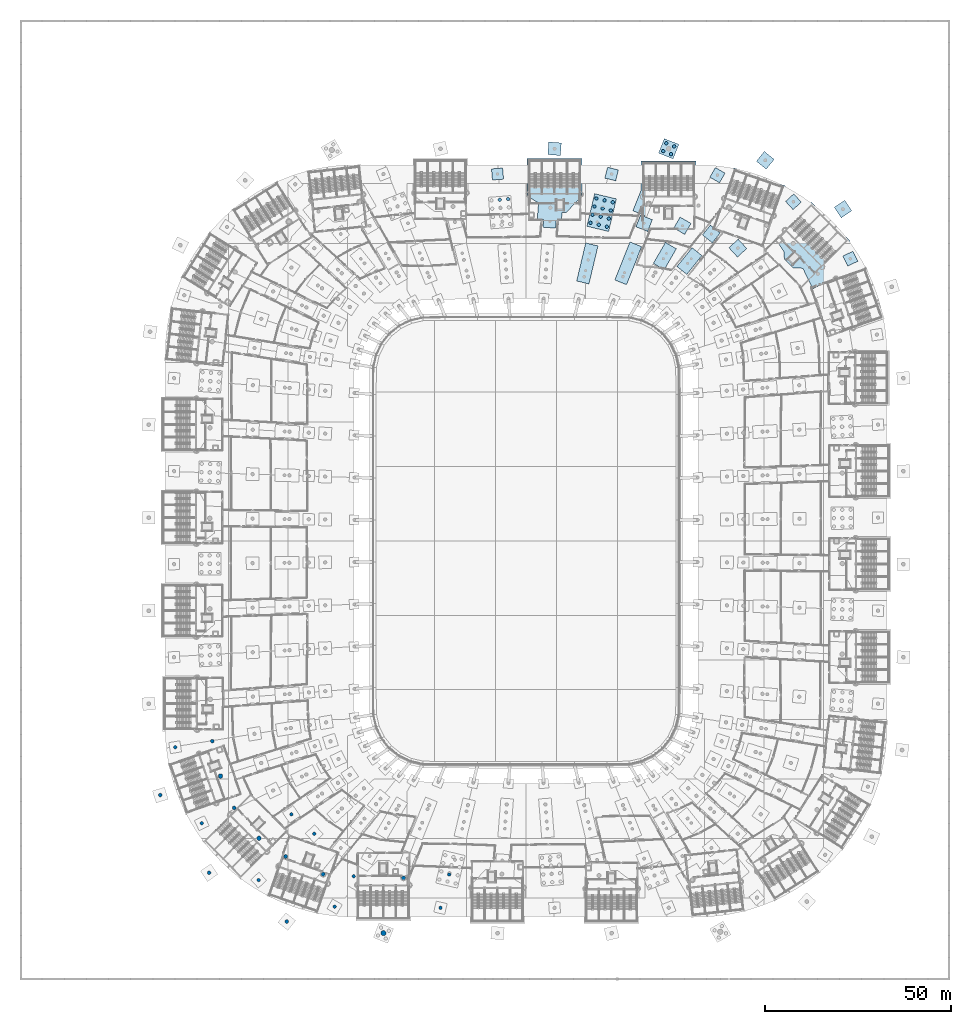
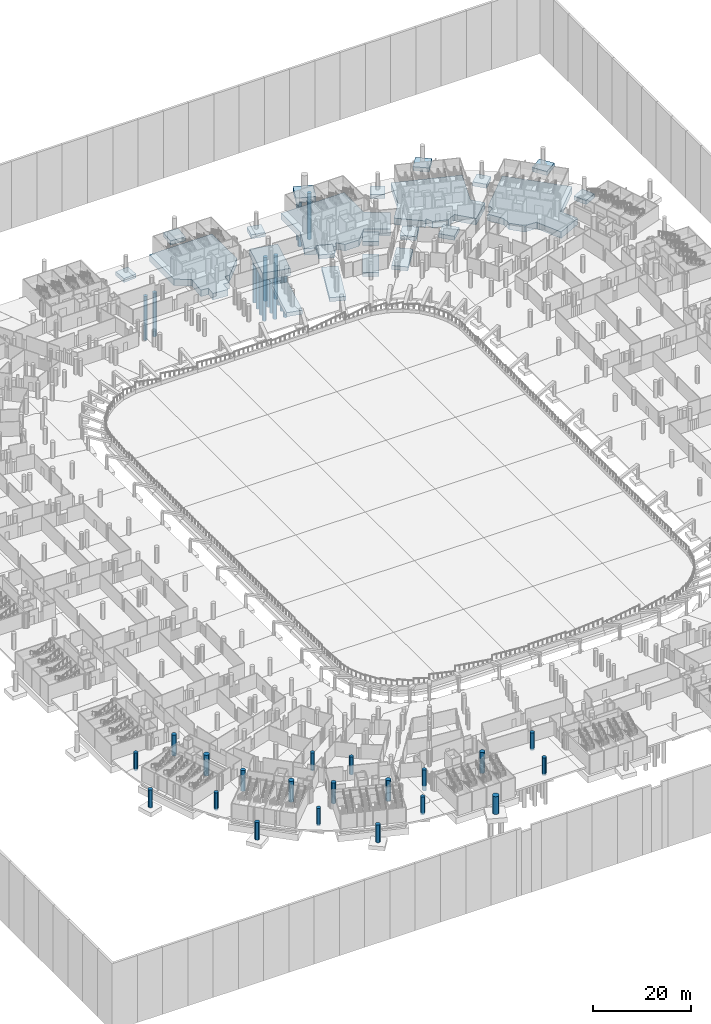
# One storey, part 8 of 142: 22 footings, 20 columns, 18 piles.
"""IFC4 building model written with IfcOpenShell, lengths in metres."""

from ifc_helpers import new_model, si_unit, direction, frame, origin, origin_2d, place, context, subcontext, project, spatial, polyline, circle, outline, extrude, material, material_profile, profile_set, type_object, element, save


model = new_model("IFC4")

# Units and contexts
model_context = context("Model", 3, precision=1e-05, world=origin(), true_north=direction((0.0, 1.0)))
body_context = subcontext(model_context, "Body", "Model", "MODEL_VIEW")
ifc_project = project(units=[si_unit("LENGTHUNIT", "METRE"), si_unit("AREAUNIT", "SQUARE_METRE"), si_unit("VOLUMEUNIT", "CUBIC_METRE"), si_unit("PLANEANGLEUNIT", "RADIAN"), si_unit("MASSUNIT", "GRAM", prefix="KILO")], contexts=[model_context])

# Site, building, storey
site_placement = place(None, origin())
site = spatial("IfcSite", under=ifc_project, at=site_placement, CompositionType="ELEMENT")
building_placement = place(site_placement, origin())
building = spatial("IfcBuilding", under=site, at=building_placement, Name="Meseta Stadium", CompositionType="ELEMENT")
storey_placement = place(building_placement, frame((0.0, 0.0, -4.0)))
storey = spatial("IfcBuildingStorey", under=building, at=storey_placement, Name="B1", CompositionType="ELEMENT", Elevation=-4.0)

# Piles
ifc_material_1 = material(Name="Concrete C30/37", Category="concrete")
ifc_material_profile_1 = material_profile(ifc_material_1, circle(Radius=0.449951171875, at=origin_2d()), Name="D900")
ifc_profile_set_1 = profile_set([ifc_material_profile_1], Name="Concrete C30/37")
pile_type_1 = type_object("IfcPileType", Name="Bored pile D900 A", PredefinedType="BORED", material=ifc_profile_set_1)
for number, where, z_axis, x_axis, name in (
    (1, (21.72021484375, 84.43896484375, -2.10009765625), (0.0, 0.0, -1.0), (1.0, 0.0, 0.0), "Bored pile BP9A 17-EP-01"),
    (2, (19.531494140625, 84.9599609375, -2.10009765625), (0.0, 0.0, -1.0), (1.0, 0.0, 0.0), "Bored pile BP9A 17-EP-02"),
    (3, (17.342529296875, 85.481201171875, -2.10009765625), (0.0, 0.0, -1.0), (1.0, 0.0, 0.0), "Bored pile BP9A 17-EP-03"),
    (4, (22.241455078125, 86.627685546875, -2.10009765625), (0.0, 0.0, -1.0), (1.0, 0.0, 0.0), "Bored pile BP9A 17-EP-04"),
    (5, (20.052490234375, 87.14892578125, -2.10009765625), (0.0, 0.0, -1.0), (1.0, 0.0, 0.0), "Bored pile BP9A 17-EP-05"),
    (6, (17.86376953125, 87.669921875, -2.10009765625), (0.0, 0.0, -1.0), (1.0, 0.0, 0.0), "Bored pile BP9A 17-EP-06"),
    (7, (22.762451171875, 88.816650390625, -2.10009765625), (0.0, 0.0, -1.0), (1.0, 0.0, 0.0), "Bored pile BP9A 17-EP-07"),
    (8, (20.57373046875, 89.337646484375, -2.10009765625), (0.0, 0.0, -1.0), (1.0, 0.0, 0.0), "Bored pile BP9A 17-EP-08"),
    (9, (18.385009765625, 89.85888671875, -2.10009765625), (0.0, 0.0, -1.0), (1.0, 0.0, 0.0), "Bored pile BP9A 17-EP-09"),
    (10, (23.28369140625, 91.00537109375, -2.10009765625), (0.0, 0.0, -1.0), (1.0, 0.0, 0.0), "Bored pile BP9A 17-EP-10"),
    (11, (21.0947265625, 91.526611328125, -2.10009765625), (0.0, 0.0, -1.0), (1.0, 0.0, 0.0), "Bored pile BP9A 17-EP-11"),
    (12, (18.906005859375, 92.047607421875, -2.10009765625), (0.0, 0.0, -1.0), (1.0, 0.0, 0.0), "Bored pile BP9A 17-EP-12"),
    (13, (-4.801025390625, 91.8798828125, -2.10009765625), (0.0, 0.0, -1.0), (1.0, 0.0, 0.0), "Bored pile BP9A 19-EP-10"),
    (14, (-7.044189453125, 91.701904296875, -2.10009765625), (0.0, 0.0, -1.0), (1.0, 0.0, 0.0), "Bored pile BP9A 19-EP-11"),
):
    element("IfcPile", number, at=place(storey_placement, frame(where, z_axis=z_axis, x_axis=x_axis)), inside=storey, type_object=pile_type_1, Name=name, PredefinedType="BORED", context=body_context, shape_type="SweptSolid", body=[
        extrude(circle(Radius=0.449951171875, at=origin_2d()), origin(), (0.0, 0.0, 1.0), 10.89990234375),
    ])
ifc_material_2 = material(Name="Concrete C30/37", Category="concrete")
ifc_material_profile_2 = material_profile(ifc_material_2, circle(Radius=0.449951171875, at=origin_2d()), Name="D900")
ifc_profile_set_2 = profile_set([ifc_material_profile_2], Name="Concrete C30/37")
pile_type_2 = type_object("IfcPileType", Name="Bored pile D900 B", PredefinedType="BORED", material=ifc_profile_set_2)
for number, where, z_axis, x_axis, name in (
    (15, (38.964111328125, 103.939453125, -1.5), (0.0, 0.0, -1.0), (1.0, 0.0, 0.0), "Bored pile BP9B 16-R-01"),
    (16, (36.872802734375, 104.769287109375, -1.5), (0.0, 0.0, -1.0), (1.0, 0.0, 0.0), "Bored pile BP9B 16-R-02"),
    (17, (39.7939453125, 106.03076171875, -1.5), (0.0, 0.0, -1.0), (1.0, 0.0, 0.0), "Bored pile BP9B 16-R-03"),
    (18, (37.70263671875, 106.860595703125, -1.5), (0.0, 0.0, -1.0), (1.0, 0.0, 0.0), "Bored pile BP9B 16-R-04"),
):
    element("IfcPile", number, at=place(storey_placement, frame(where, z_axis=z_axis, x_axis=x_axis)), inside=storey, type_object=pile_type_2, Name=name, PredefinedType="BORED", context=body_context, shape_type="SweptSolid", body=[
        extrude(circle(Radius=0.449951171875, at=origin_2d()), origin(), (0.0, 0.0, 1.0), 11.5),
    ])

# Footings
ifc_material_3 = material(Name="Concrete C30/37", Category="concrete")
footing_type_1 = type_object("IfcFootingType", Name="Combined footing 10500x3400", PredefinedType="PAD_FOOTING", material=ifc_material_3)
footing_1_placement = place(storey_placement, frame((0.0, 0.0, -1.39990234375)))
element("IfcFooting", 19, at=footing_1_placement, inside=storey, type_object=footing_type_1, Name="Footing F105.34 17-BCDU", PredefinedType="PAD_FOOTING", context=body_context, shape_type="SweptSolid", body=[
    extrude(outline(polyline([(16.906982421875, 69.070068359375), (19.339111328125, 79.284423828125), (16.031494140625, 80.072021484375), (13.599609375, 69.857421875), (16.906982421875, 69.070068359375)])), origin(), (0.0, 0.0, 1.0), 1.0),
])
ifc_material_4 = material(Name="Concrete C30/37", Category="concrete")
footing_type_2 = type_object("IfcFootingType", Name="Combined footing 11000x3400", PredefinedType="PAD_FOOTING", material=ifc_material_4)
footing_2_placement = place(storey_placement, frame((0.0, 0.0, -1.39990234375)))
element("IfcFooting", 20, at=footing_2_placement, inside=storey, type_object=footing_type_2, Name="Footing F110.34 16-BCDU", PredefinedType="PAD_FOOTING", context=body_context, shape_type="SweptSolid", body=[
    extrude(outline(polyline([(27.011962890625, 68.861083984375), (31.069091796875, 79.08544921875), (27.908935546875, 80.339599609375), (23.8515625, 70.114990234375), (27.011962890625, 68.861083984375)])), origin(), (0.0, 0.0, 1.0), 1.0),
])
ifc_material_5 = material(Name="Concrete C30/37", Category="concrete")
footing_type_3 = type_object("IfcFootingType", Name="Combined footing 6500x3400", PredefinedType="PAD_FOOTING", material=ifc_material_5)
footing_3_placement = place(storey_placement, frame((0.0, 0.0, -1.39990234375)))
element("IfcFooting", 21, at=footing_3_placement, inside=storey, type_object=footing_type_3, Name="Footing F65.34 14-CD", PredefinedType="PAD_FOOTING", context=body_context, shape_type="SweptSolid", body=[
    extrude(outline(polyline([(43.192138671875, 71.615234375), (47.2744140625, 76.67333984375), (44.62841796875, 78.80859375), (40.54638671875, 73.75048828125), (43.192138671875, 71.615234375)])), origin(), (0.0, 0.0, 1.0), 1.0),
])
footing_4_placement = place(storey_placement, frame((0.0, 0.0, -1.39990234375)))
element("IfcFooting", 22, at=footing_4_placement, inside=storey, type_object=footing_type_3, Name="Footing F65.34 15-CD", PredefinedType="PAD_FOOTING", context=body_context, shape_type="SweptSolid", body=[
    extrude(outline(polyline([(37.144287109375, 72.8828125), (40.39697265625, 78.51025390625), (37.453369140625, 80.2119140625), (34.20068359375, 74.584228515625), (37.144287109375, 72.8828125)])), origin(), (0.0, 0.0, 1.0), 1.0),
])
ifc_material_6 = material(Name="Concrete C30/37", Category="concrete")
footing_type_4 = type_object("IfcFootingType", Name="Pad footing 3000", PredefinedType="PAD_FOOTING", material=ifc_material_6)
footing_5_placement = place(storey_placement, frame((0.0, 0.0, -1.39990234375)))
element("IfcFooting", 23, at=footing_5_placement, inside=storey, type_object=footing_type_4, Name="Footing F30 11-R", PredefinedType="PAD_FOOTING", context=body_context, shape_type="SweptSolid", body=[
    extrude(outline(polyline([(86.44921875, 73.85498046875), (89.152587890625, 75.155029296875), (87.8525390625, 77.858642578125), (85.14892578125, 76.558349609375), (86.44921875, 73.85498046875)])), origin(), (0.0, 0.0, 1.0), 1.0),
])
footing_6_placement = place(storey_placement, frame((0.0, 0.0, -1.39990234375)))
element("IfcFooting", 24, at=footing_6_placement, inside=storey, type_object=footing_type_4, Name="Footing F30 13-R", PredefinedType="PAD_FOOTING", context=body_context, shape_type="SweptSolid", body=[
    extrude(outline(polyline([(71.76318359375, 89.031494140625), (73.97607421875, 91.05712890625), (71.9501953125, 93.27001953125), (69.737548828125, 91.244384765625), (71.76318359375, 89.031494140625)])), origin(), (0.0, 0.0, 1.0), 1.0),
])
footing_7_placement = place(storey_placement, frame((0.0, 0.0, -1.39990234375)))
element("IfcFooting", 25, at=footing_7_placement, inside=storey, type_object=footing_type_4, Name="Footing F30 15-R", PredefinedType="PAD_FOOTING", context=body_context, shape_type="SweptSolid", body=[
    extrude(outline(polyline([(51.989501953125, 96.2451171875), (53.49072265625, 98.84228515625), (50.8935546875, 100.34375), (49.39208984375, 97.746337890625), (51.989501953125, 96.2451171875)])), origin(), (0.0, 0.0, 1.0), 1.0),
])
footing_8_placement = place(storey_placement, frame((0.0, 0.0, -1.39990234375)))
element("IfcFooting", 26, at=footing_8_placement, inside=storey, type_object=footing_type_4, Name="Footing F30 17-R", PredefinedType="PAD_FOOTING", context=body_context, shape_type="SweptSolid", body=[
    extrude(outline(polyline([(24.11181640625, 96.79345703125), (24.806640625, 99.7119140625), (21.88818359375, 100.406494140625), (21.193359375, 97.48828125), (24.11181640625, 96.79345703125)])), origin(), (0.0, 0.0, 1.0), 1.0),
])
footing_9_placement = place(storey_placement, frame((0.0, 0.0, -1.39990234375)))
element("IfcFooting", 27, at=footing_9_placement, inside=storey, type_object=footing_type_4, Name="Footing F30 19-R", PredefinedType="PAD_FOOTING", context=body_context, shape_type="SweptSolid", body=[
    extrude(outline(polyline([(-6.052734375, 97.223388671875), (-6.2900390625, 100.214111328125), (-9.280517578125, 99.9765625), (-9.043212890625, 96.986083984375), (-6.052734375, 97.223388671875)])), origin(), (0.0, 0.0, 1.0), 1.0),
])
ifc_material_7 = material(Name="Concrete C30/37", Category="concrete")
footing_type_5 = type_object("IfcFootingType", Name="Pad footing 3400", PredefinedType="PAD_FOOTING", material=ifc_material_7)
footing_10_placement = place(storey_placement, frame((0.0, 0.0, -1.39990234375)))
element("IfcFooting", 28, at=footing_10_placement, inside=storey, type_object=footing_type_5, Name="Footing F34 12-R", PredefinedType="PAD_FOOTING", context=body_context, shape_type="SweptSolid", body=[
    extrude(outline(polyline([(84.7158203125, 86.8134765625), (87.533935546875, 88.7158203125), (85.631591796875, 91.533935546875), (82.8134765625, 89.631591796875), (84.7158203125, 86.8134765625)])), origin(), (0.0, 0.0, 1.0), 1.0),
])
footing_11_placement = place(storey_placement, frame((0.0, 0.0, -1.39990234375)))
element("IfcFooting", 29, at=footing_11_placement, inside=storey, type_object=footing_type_5, Name="Footing F34 13-E", PredefinedType="PAD_FOOTING", context=body_context, shape_type="SweptSolid", body=[
    extrude(outline(polyline([(56.80908203125, 76.2939453125), (59.31689453125, 78.589599609375), (57.02099609375, 81.097412109375), (54.51318359375, 78.8017578125), (56.80908203125, 76.2939453125)])), origin(), (0.0, 0.0, 1.0), 1.0),
])
footing_12_placement = place(storey_placement, frame((0.0, 0.0, -1.39990234375)))
element("IfcFooting", 30, at=footing_12_placement, inside=storey, type_object=footing_type_5, Name="Footing F34 14-E", PredefinedType="PAD_FOOTING", context=body_context, shape_type="SweptSolid", body=[
    extrude(outline(polyline([(50.04638671875, 80.108154296875), (52.181640625, 82.754150390625), (49.535888671875, 84.889404296875), (47.400634765625, 82.24365234375), (50.04638671875, 80.108154296875)])), origin(), (0.0, 0.0, 1.0), 1.0),
])
footing_13_placement = place(storey_placement, frame((0.0, 0.0, -1.39990234375)))
element("IfcFooting", 31, at=footing_13_placement, inside=storey, type_object=footing_type_5, Name="Footing F34 14-R", PredefinedType="PAD_FOOTING", context=body_context, shape_type="SweptSolid", body=[
    extrude(outline(polyline([(64.552734375, 99.900634765625), (66.68798828125, 102.54638671875), (64.042236328125, 104.681640625), (61.906982421875, 102.035888671875), (64.552734375, 99.900634765625)])), origin(), (0.0, 0.0, 1.0), 1.0),
])
footing_14_placement = place(storey_placement, frame((0.0, 0.0, -1.39990234375)))
element("IfcFooting", 32, at=footing_14_placement, inside=storey, type_object=footing_type_5, Name="Footing F34 15-E", PredefinedType="PAD_FOOTING", context=body_context, shape_type="SweptSolid", body=[
    extrude(outline(polyline([(42.63671875, 82.384765625), (44.338134765625, 85.328369140625), (41.394287109375, 87.02978515625), (39.693115234375, 84.086181640625), (42.63671875, 82.384765625)])), origin(), (0.0, 0.0, 1.0), 1.0),
])
footing_15_placement = place(storey_placement, frame((0.0, 0.0, -1.39990234375)))
element("IfcFooting", 33, at=footing_15_placement, inside=storey, type_object=footing_type_5, Name="Footing F34 16-E", PredefinedType="PAD_FOOTING", context=body_context, shape_type="SweptSolid", body=[
    extrude(outline(polyline([(32.68994140625, 83.169677734375), (33.944091796875, 86.329833984375), (30.78369140625, 87.583984375), (29.52978515625, 84.423583984375), (32.68994140625, 83.169677734375)])), origin(), (0.0, 0.0, 1.0), 1.0),
])
footing_16_placement = place(storey_placement, frame((0.0, 0.0, -1.39990234375)))
element("IfcFooting", 34, at=footing_16_placement, inside=storey, type_object=footing_type_5, Name="Footing F34 18-R", PredefinedType="PAD_FOOTING", context=body_context, shape_type="SweptSolid", body=[
    extrude(outline(polyline([(9.226806640625, 103.57080078125), (9.495849609375, 106.960205078125), (6.1064453125, 107.229248046875), (5.83740234375, 103.83984375), (9.226806640625, 103.57080078125)])), origin(), (0.0, 0.0, 1.0), 1.0),
])
ifc_material_8 = material(Name="Concrete C30/37", Category="concrete")
footing_type_6 = type_object("IfcFootingType", Name="Pile cap 4200", PredefinedType="PILE_CAP", material=ifc_material_8)
footing_17_placement = place(storey_placement, frame((0.0, 0.0, -1.60009765625)))
element("IfcFooting", 35, at=footing_17_placement, inside=storey, type_object=footing_type_6, Name="Pile cap PC42 16-R", PredefinedType="PILE_CAP", context=body_context, shape_type="SweptSolid", body=[
    extrude(outline(polyline([(39.5107421875, 102.673583984375), (41.059814453125, 106.577392578125), (37.156005859375, 108.12646484375), (35.606689453125, 104.22265625), (39.5107421875, 102.673583984375)])), origin(), (0.0, 0.0, 1.0), 1.2001953125),
])
ifc_material_9 = material(Name="Concrete C30/37", Category="concrete")
footing_type_7 = type_object("IfcFootingType", Name="Pile cap 9000x6000", PredefinedType="PILE_CAP", material=ifc_material_9)
footing_18_placement = place(storey_placement, frame((0.0, 0.0, -2.199951171875)))
element("IfcFooting", 36, at=footing_18_placement, inside=storey, type_object=footing_type_7, Name="Pile cap PC90.60 17-EP", PredefinedType="PILE_CAP", context=body_context, shape_type="SweptSolid", body=[
    extrude(outline(polyline([(22.189208984375, 83.1708984375), (24.273681640625, 91.926025390625), (18.43701171875, 93.31591796875), (16.352294921875, 84.560546875), (22.189208984375, 83.1708984375)])), origin(), (0.0, 0.0, 1.0), 1.800048828125),
])
ifc_material_10 = material(Name="Concrete C30/37", Category="concrete")
footing_type_8 = type_object("IfcFootingType", Name="Raft 18800x14800", PredefinedType="PAD_FOOTING", material=ifc_material_10)
footing_19_placement = place(storey_placement, frame((0.0, 0.0, -2.800048828125)))
element("IfcFooting", 37, at=footing_19_placement, inside=storey, type_object=footing_type_8, Name="Footing R188.148 18-CORE", PredefinedType="PAD_FOOTING", context=body_context, shape_type="SweptSolid", body=[
    extrude(outline(polyline([(8.11474609375, 86.159423828125), (9.499755859375, 86.049560546875), (9.67822265625, 88.300048828125), (10.816650390625, 88.300048828125), (15.066650390625, 92.699951171875), (15.066650390625, 102.800048828125), (0.2666015625, 102.800048828125), (0.2666015625, 92.699951171875), (3.358154296875, 90.82373046875), (3.02001953125, 86.563720703125), (4.7255859375, 86.428466796875), (4.557861328125, 84.316650390625), (7.947265625, 84.047607421875), (8.11474609375, 86.159423828125)])), origin(), (0.0, 0.0, 1.0), 1.60009765625),
])
ifc_material_11 = material(Name="Concrete C30/37", Category="concrete")
footing_type_9 = type_object("IfcFootingType", Name="Raft 18800x16200", PredefinedType="PAD_FOOTING", material=ifc_material_11)
footing_20_placement = place(storey_placement, frame((0.0, 0.0, -2.800048828125)))
element("IfcFooting", 38, at=footing_20_placement, inside=storey, type_object=footing_type_9, Name="Footing R188.162 11-P", PredefinedType="PAD_FOOTING", context=body_context, shape_type="SweptSolid", body=[
    extrude(outline(polyline([(77.0419921875, 67.752197265625), (82.44921875, 70.3525390625), (80.62060546875, 74.1552734375), (87.0830078125, 80.61767578125), (76.61767578125, 91.0830078125), (68.98095703125, 83.4462890625), (69.063232421875, 81.979248046875), (67.26318359375, 80.76416015625), (69.300537109375, 77.746337890625), (69.41259765625, 75.74609375), (71.74609375, 73.41259765625), (74.632080078125, 73.2509765625), (74.441650390625, 73.159423828125), (77.0419921875, 67.752197265625)])), origin(), (0.0, 0.0, 1.0), 1.60009765625),
])
ifc_material_12 = material(Name="Concrete C30/37", Category="concrete")
footing_type_10 = type_object("IfcFootingType", Name="Raft 19100x15700", PredefinedType="PAD_FOOTING", material=ifc_material_12)
footing_21_placement = place(storey_placement, frame((0.0, 0.0, -2.800048828125)))
element("IfcFooting", 39, at=footing_21_placement, inside=storey, type_object=footing_type_10, Name="Footing R191.157 13-P", PredefinedType="PAD_FOOTING", context=body_context, shape_type="SweptSolid", body=[
    extrude(outline(polyline([(66.754150390625, 86.906494140625), (69.72998046875, 95.410888671875), (55.760498046875, 100.298828125), (53.281982421875, 93.21630859375), (49.952880859375, 89.09130859375), (55.01123046875, 85.009033203125), (55.510009765625, 85.627197265625), (56.191650390625, 84.1220703125), (59.306396484375, 83.031982421875), (61.255126953125, 84.027587890625), (64.43505859375, 80.553955078125), (68.860595703125, 84.60546875), (66.754150390625, 86.906494140625)])), origin(), (0.0, 0.0, 1.0), 1.60009765625),
])
ifc_material_13 = material(Name="Concrete C30/37", Category="concrete")
footing_type_11 = type_object("IfcFootingType", Name="Raft 21700x16100", PredefinedType="PAD_FOOTING", material=ifc_material_13)
footing_22_placement = place(storey_placement, frame((0.0, 0.0, -2.800048828125)))
element("IfcFooting", 40, at=footing_22_placement, inside=storey, type_object=footing_type_11, Name="Footing R217.161 15-P", PredefinedType="PAD_FOOTING", context=body_context, shape_type="SweptSolid", body=[
    extrude(outline(polyline([(45.7333984375, 93.93798828125), (45.7333984375, 102.10009765625), (30.933349609375, 102.10009765625), (30.933349609375, 94.29541015625), (28.724365234375, 88.72900390625), (34.76611328125, 86.33154296875), (35.22412109375, 87.486083984375), (36.683349609375, 85.951171875), (39.9833984375, 85.951171875), (42.670654296875, 88.778076171875), (47.42919921875, 86.027587890625), (50.431884765625, 91.22216796875), (45.7333984375, 93.93798828125)])), origin(), (0.0, 0.0, 1.0), 1.60009765625),
])

# Columns
ifc_material_14 = material(Name="Concrete C40/50", Category="concrete")
ifc_material_profile_3 = material_profile(ifc_material_14, circle(Radius=0.5, at=origin_2d()), Name="RC D1000")
ifc_profile_set_3 = profile_set([ifc_material_profile_3], Name="Concrete C40/50")
column_type_1 = type_object("IfcColumnType", Name="RC column D1000", PredefinedType="COLUMN", material=ifc_profile_set_3)
column_1_placement = place(storey_placement, frame((-84.3251953125, -53.801513671875, -1.199951171875), z_axis=(0.0, 0.0, 1.0), x_axis=(1.0, 0.0, 0.0)))
element("IfcColumn", 41, at=column_1_placement, inside=storey, type_object=column_type_1, Name="Column C10 B1 frame 37 line P", PredefinedType="COLUMN", context=body_context, shape_type="SweptSolid", body=[
    extrude(circle(Radius=0.5, at=origin_2d()), origin(), (0.0, 0.0, 1.0), 5.199951171875),
])
column_2_placement = place(storey_placement, frame((-98.291015625, -68.29736328125, -0.39990234375), z_axis=(0.0, 0.0, 1.0), x_axis=(1.0, 0.0, 0.0)))
element("IfcColumn", 42, at=column_2_placement, inside=storey, type_object=column_type_1, Name="Column C10 B1 frame 38 line R", PredefinedType="COLUMN", context=body_context, shape_type="SweptSolid", body=[
    extrude(circle(Radius=0.5, at=origin_2d()), origin(), (0.0, 0.0, 1.0), 4.39990234375),
])
column_3_placement = place(storey_placement, frame((-78.4453125, -71.756103515625, -1.199951171875), z_axis=(0.0, 0.0, 1.0), x_axis=(1.0, 0.0, 0.0)))
element("IfcColumn", 43, at=column_3_placement, inside=storey, type_object=column_type_1, Name="Column C10 B1 frame 39 line P", PredefinedType="COLUMN", context=body_context, shape_type="SweptSolid", body=[
    extrude(circle(Radius=0.5, at=origin_2d()), origin(), (0.0, 0.0, 1.0), 5.199951171875),
])
column_4_placement = place(storey_placement, frame((-85.173828125, -89.173828125, -0.39990234375), z_axis=(0.0, 0.0, 1.0), x_axis=(1.0, 0.0, 0.0)))
element("IfcColumn", 44, at=column_4_placement, inside=storey, type_object=column_type_1, Name="Column C10 B1 frame 40 line R", PredefinedType="COLUMN", context=body_context, shape_type="SweptSolid", body=[
    extrude(circle(Radius=0.5, at=origin_2d()), origin(), (0.0, 0.0, 1.0), 4.39990234375),
])
column_5_placement = place(storey_placement, frame((-64.6220703125, -84.79248046875, -1.199951171875), z_axis=(0.0, 0.0, 1.0), x_axis=(1.0, 0.0, 0.0)))
element("IfcColumn", 45, at=column_5_placement, inside=storey, type_object=column_type_1, Name="Column C10 B1 frame 41 line P", PredefinedType="COLUMN", context=body_context, shape_type="SweptSolid", body=[
    extrude(circle(Radius=0.5, at=origin_2d()), origin(), (0.0, 0.0, 1.0), 5.199951171875),
])
column_6_placement = place(storey_placement, frame((-64.29736328125, -102.291015625, -0.39990234375), z_axis=(0.0, 0.0, 1.0), x_axis=(1.0, 0.0, 0.0)))
element("IfcColumn", 46, at=column_6_placement, inside=storey, type_object=column_type_1, Name="Column C10 B1 frame 42 line R", PredefinedType="COLUMN", context=body_context, shape_type="SweptSolid", body=[
    extrude(circle(Radius=0.5, at=origin_2d()), origin(), (0.0, 0.0, 1.0), 4.39990234375),
])
ifc_material_15 = material(Name="Concrete C40/50", Category="concrete")
ifc_material_profile_4 = material_profile(ifc_material_15, circle(Radius=0.550048828125, at=origin_2d()), Name="RC D1100")
ifc_profile_set_4 = profile_set([ifc_material_profile_4], Name="Concrete C40/50")
column_type_2 = type_object("IfcColumnType", Name="RC column D1100", PredefinedType="COLUMN", material=ifc_profile_set_4)
for number, where, z_axis, x_axis, name in (
    (47, (-54.523193359375, -89.579345703125, -1.199951171875), (0.0, 0.0, 1.0), (1.0, 0.0, 0.0), "Column C11 B1 frame 42 line P"),
    (48, (-32.944091796875, -90.551025390625, -1.199951171875), (0.0, 0.0, 1.0), (1.0, 0.0, 0.0), "Column C11 B1 frame 44 line P"),
):
    element("IfcColumn", number, at=place(storey_placement, frame(where, z_axis=z_axis, x_axis=x_axis)), inside=storey, type_object=column_type_2, Name=name, PredefinedType="COLUMN", context=body_context, shape_type="SweptSolid", body=[
        extrude(circle(Radius=0.550048828125, at=origin_2d()), origin(), (0.0, 0.0, 1.0), 5.199951171875),
    ])
ifc_material_16 = material(Name="Concrete C40/50", Category="concrete")
ifc_material_profile_5 = material_profile(ifc_material_16, circle(Radius=0.60009765625, at=origin_2d()), Name="RC D1200")
ifc_profile_set_5 = profile_set([ifc_material_profile_5], Name="Concrete C40/50")
column_type_3 = type_object("IfcColumnType", Name="RC column D1200", PredefinedType="COLUMN", material=ifc_profile_set_5)
for number, where, z_axis, x_axis, name in (
    (49, (-82.119873046875, -63.191162109375, -1.199951171875), (0.0, 0.0, 1.0), (1.0, 0.0, 0.0), "Column C12 B1 frame 38 line P"),
    (50, (-71.775390625, -79.888916015625, -1.199951171875), (0.0, 0.0, 1.0), (1.0, 0.0, 0.0), "Column C12 B1 frame 40 line P"),
):
    element("IfcColumn", number, at=place(storey_placement, frame(where, z_axis=z_axis, x_axis=x_axis)), inside=storey, type_object=column_type_3, Name=name, PredefinedType="COLUMN", context=body_context, shape_type="SweptSolid", body=[
        extrude(circle(Radius=0.60009765625, at=origin_2d()), origin(), (0.0, 0.0, 1.0), 5.199951171875),
    ])
ifc_material_17 = material(Name="Concrete C40/50", Category="concrete")
ifc_material_profile_6 = material_profile(ifc_material_17, circle(Radius=0.699951171875, at=origin_2d()), Name="RC D1400")
ifc_profile_set_6 = profile_set([ifc_material_profile_6], Name="Concrete C40/50")
column_type_4 = type_object("IfcColumnType", Name="RC column D1400", PredefinedType="COLUMN", material=ifc_profile_set_6)
column_7_placement = place(storey_placement, frame((-38.333251953125, -105.39990234375, -0.39990234375), z_axis=(0.0, 0.0, 1.0), x_axis=(1.0, 0.0, 0.0)))
element("IfcColumn", 51, at=column_7_placement, inside=storey, type_object=column_type_4, Name="Column C14 B1 frame 44 line R", PredefinedType="COLUMN", context=body_context, shape_type="SweptSolid", body=[
    extrude(circle(Radius=0.699951171875, at=origin_2d()), origin(), (0.0, 0.0, 1.0), 4.39990234375),
])
ifc_material_18 = material(Name="Concrete C40/50", Category="concrete")
ifc_material_profile_7 = material_profile(ifc_material_18, circle(Radius=0.449951171875, at=origin_2d()), Name="RC D900")
ifc_profile_set_7 = profile_set([ifc_material_profile_7], Name="Concrete C40/50")
column_type_5 = type_object("IfcColumnType", Name="RC column D900", PredefinedType="COLUMN", material=ifc_profile_set_7)
for number, where, z_axis, x_axis, name in (
    (52, (-94.29443359375, -55.44140625, -0.39990234375), (0.0, 0.0, 1.0), (1.0, 0.0, 0.0), "Column C9 B1 frame 37 line R"),
    (53, (-87.15087890625, -75.856689453125, -0.39990234375), (0.0, 0.0, 1.0), (1.0, 0.0, 0.0), "Column C9 B1 frame 39 line R"),
    (54, (-63.068115234375, -73.469970703125, -0.39990234375), (0.0, 0.0, 1.0), (1.0, 0.0, 0.0), "Column C9 B1 frame 40 line E"),
    (55, (-56.9150390625, -78.69580078125, -0.39990234375), (0.0, 0.0, 1.0), (1.0, 0.0, 0.0), "Column C9 B1 frame 41 line E"),
    (56, (-71.856689453125, -91.15087890625, -0.39990234375), (0.0, 0.0, 1.0), (1.0, 0.0, 0.0), "Column C9 B1 frame 41 line R"),
):
    element("IfcColumn", number, at=place(storey_placement, frame(where, z_axis=z_axis, x_axis=x_axis)), inside=storey, type_object=column_type_5, Name=name, PredefinedType="COLUMN", context=body_context, shape_type="SweptSolid", body=[
        extrude(circle(Radius=0.449951171875, at=origin_2d()), origin(), (0.0, 0.0, 1.0), 4.39990234375),
    ])
column_8_placement = place(storey_placement, frame((-46.333251953125, -90.126220703125, -1.199951171875), z_axis=(0.0, 0.0, 1.0), x_axis=(1.0, 0.0, 0.0)))
element("IfcColumn", 57, at=column_8_placement, inside=storey, type_object=column_type_5, Name="Column C9 B1 frame 43 line P", PredefinedType="COLUMN", context=body_context, shape_type="SweptSolid", body=[
    extrude(circle(Radius=0.449951171875, at=origin_2d()), origin(), (0.0, 0.0, 1.0), 5.199951171875),
])
for number, where, z_axis, x_axis, name in (
    (58, (-51.44140625, -98.29443359375, -0.39990234375), (0.0, 0.0, 1.0), (1.0, 0.0, 0.0), "Column C9 B1 frame 43 line R"),
    (59, (-20.649658203125, -89.65625, -0.39990234375), (0.0, 0.0, 1.0), (1.0, 0.0, 0.0), "Column C9 B1 frame 45 line P"),
    (60, (-23.0, -98.60009765625, -0.39990234375), (0.0, 0.0, 1.0), (1.0, 0.0, 0.0), "Column C9 B1 frame 45 line R"),
):
    element("IfcColumn", number, at=place(storey_placement, frame(where, z_axis=z_axis, x_axis=x_axis)), inside=storey, type_object=column_type_5, Name=name, PredefinedType="COLUMN", context=body_context, shape_type="SweptSolid", body=[
        extrude(circle(Radius=0.449951171875, at=origin_2d()), origin(), (0.0, 0.0, 1.0), 4.39990234375),
    ])

save(model, "model.ifc")
